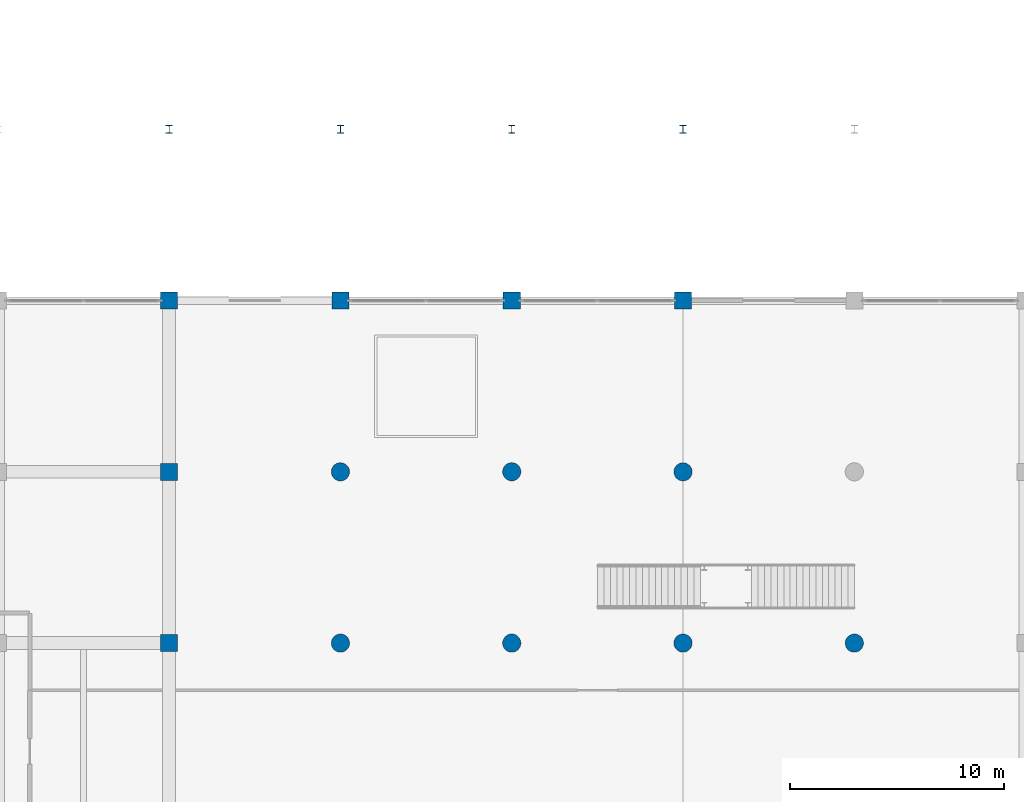
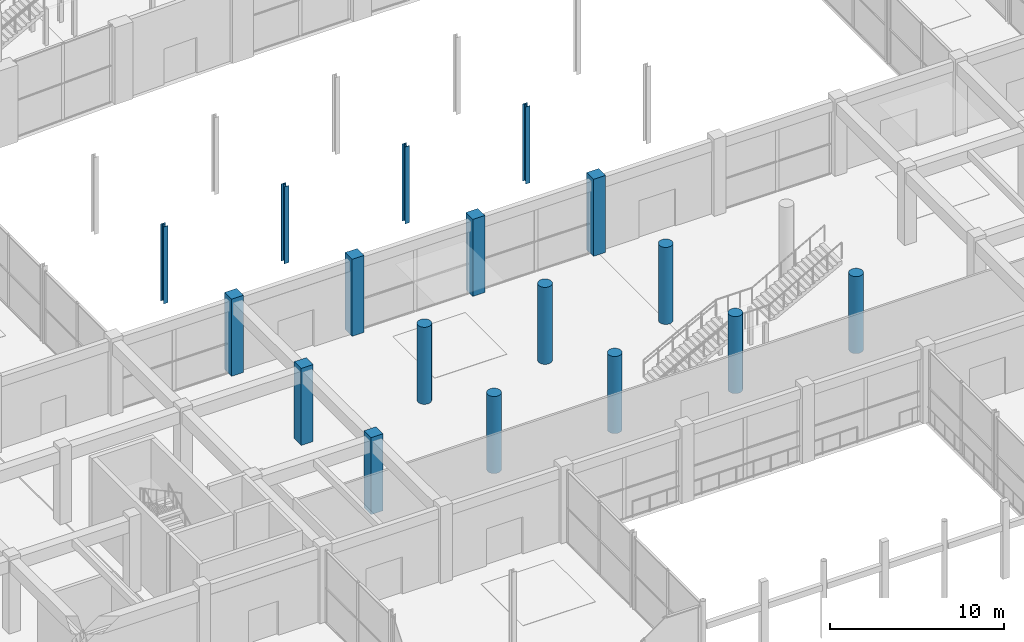
# One storey, part 7 of 86: 17 columns.
"""IFC4 building model written with IfcOpenShell, lengths in metres."""

from ifc_helpers import new_model, si_unit, direction, frame, origin, origin_2d, place, context, subcontext, project, spatial, rectangle, circle, i_section, extrude, material, material_profile, profile_set, type_object, element, save


model = new_model("IFC4")

# Units and contexts
model_context = context("Model", 3, precision=1e-05, world=origin(), true_north=direction((0.0, 1.0)))
body_context = subcontext(model_context, "Body", "Model", "MODEL_VIEW")
ifc_project = project(units=[si_unit("LENGTHUNIT", "METRE"), si_unit("AREAUNIT", "SQUARE_METRE"), si_unit("VOLUMEUNIT", "CUBIC_METRE"), si_unit("PLANEANGLEUNIT", "RADIAN"), si_unit("MASSUNIT", "GRAM", prefix="KILO")], contexts=[model_context])

# Site, building, storey
site_placement = place(None, origin())
site = spatial("IfcSite", under=ifc_project, at=site_placement, CompositionType="ELEMENT")
building_placement = place(site_placement, origin())
building = spatial("IfcBuilding", under=site, at=building_placement, Name="Kenh Van Central Station", CompositionType="ELEMENT")
storey_placement = place(building_placement, origin())
storey = spatial("IfcBuildingStorey", under=building, at=storey_placement, Name="L00", CompositionType="ELEMENT", Elevation=0.0)

# Columns
ifc_material_1 = material(Name="Concrete C40/50", Category="concrete")
ifc_material_profile_1 = material_profile(ifc_material_1, rectangle(XDim=0.800048828125, YDim=0.800048828125, at=origin_2d()), Name="RC 800x800")
ifc_profile_set_1 = profile_set([ifc_material_profile_1], Name="Concrete C40/50")
column_type_1 = type_object("IfcColumnType", Name="COL-RC-800x800", PredefinedType="COLUMN", material=ifc_profile_set_1)
for number, where, z_axis, x_axis, name in (
    (1, (64.0, 24.0, 0.0), (0.0, 0.0, 1.0), (1.0, 0.0, 0.0), "L00 column CC-064-024"),
    (2, (64.0, 32.0, 0.0), (0.0, 0.0, 1.0), (1.0, 0.0, 0.0), "L00 column CC-064-032"),
    (3, (64.0, 40.0, 0.0), (0.0, 0.0, 1.0), (1.0, 0.0, 0.0), "L00 column CC-064-040"),
    (4, (72.0, 40.0, 0.0), (0.0, 0.0, 1.0), (1.0, 0.0, 0.0), "L00 column CC-072-040"),
    (5, (80.0, 40.0, 0.0), (0.0, 0.0, 1.0), (1.0, 0.0, 0.0), "L00 column CC-080-040"),
    (6, (88.0, 40.0, 0.0), (0.0, 0.0, 1.0), (1.0, 0.0, 0.0), "L00 column CC-088-040"),
):
    element("IfcColumn", number, at=place(storey_placement, frame(where, z_axis=z_axis, x_axis=x_axis)), inside=storey, type_object=column_type_1, Name=name, PredefinedType="COLUMN", context=body_context, shape_type="SweptSolid", body=[
        extrude(rectangle(XDim=0.800048828125, YDim=0.800048828125, at=origin_2d()), origin(), (0.0, 0.0, 1.0), 5.39990234375),
    ])
ifc_material_profile_2 = material_profile(ifc_material_1, circle(Radius=0.425048828125, at=origin_2d()), Name="RC D850")
ifc_profile_set_2 = profile_set([ifc_material_profile_2], Name="Concrete C40/50")
column_type_2 = type_object("IfcColumnType", Name="COL-RC-D850", PredefinedType="COLUMN", material=ifc_profile_set_2)
for number, where, z_axis, x_axis, name in (
    (7, (72.0, 24.0, 0.0), (0.0, 0.0, 1.0), (1.0, 0.0, 0.0), "L00 column CC-072-024"),
    (8, (72.0, 32.0, 0.0), (0.0, 0.0, 1.0), (1.0, 0.0, 0.0), "L00 column CC-072-032"),
    (9, (80.0, 24.0, 0.0), (0.0, 0.0, 1.0), (1.0, 0.0, 0.0), "L00 column CC-080-024"),
    (10, (80.0, 32.0, 0.0), (0.0, 0.0, 1.0), (1.0, 0.0, 0.0), "L00 column CC-080-032"),
    (11, (88.0, 24.0, 0.0), (0.0, 0.0, 1.0), (1.0, 0.0, 0.0), "L00 column CC-088-024"),
    (12, (88.0, 32.0, 0.0), (0.0, 0.0, 1.0), (1.0, 0.0, 0.0), "L00 column CC-088-032"),
    (13, (96.0, 24.0, 0.0), (0.0, 0.0, 1.0), (1.0, 0.0, 0.0), "L00 column CC-096-024"),
):
    element("IfcColumn", number, at=place(storey_placement, frame(where, z_axis=z_axis, x_axis=x_axis)), inside=storey, type_object=column_type_2, Name=name, PredefinedType="COLUMN", context=body_context, shape_type="SweptSolid", body=[
        extrude(circle(Radius=0.425048828125, at=origin_2d()), origin(), (0.0, 0.0, 1.0), 5.39990234375),
    ])
ifc_material_2 = material(Name="Steel S355", Category="steel")
ifc_material_profile_3 = material_profile(ifc_material_2, i_section(OverallWidth=0.300048828125, OverallDepth=0.360107421875, WebThickness=0.012451171875, FlangeThickness=0.0224609375, FilletRadius=0.027099609375, at=origin_2d()), Name="HEB 360")
ifc_profile_set_3 = profile_set([ifc_material_profile_3], Name="Steel S355")
column_type_3 = type_object("IfcColumnType", Name="COL-STL-HEB360", PredefinedType="COLUMN", material=ifc_profile_set_3)
for number, where, z_axis, x_axis, name in (
    (14, (64.0, 48.0, 0.0), (0.0, 0.0, 1.0), (1.0, 0.0, 0.0), "L00 column CB-064-048"),
    (15, (72.0, 48.0, 0.0), (0.0, 0.0, 1.0), (1.0, 0.0, 0.0), "L00 column CB-072-048"),
    (16, (80.0, 48.0, 0.0), (0.0, 0.0, 1.0), (1.0, 0.0, 0.0), "L00 column CB-080-048"),
    (17, (88.0, 48.0, 0.0), (0.0, 0.0, 1.0), (1.0, 0.0, 0.0), "L00 column CB-088-048"),
):
    element("IfcColumn", number, at=place(storey_placement, frame(where, z_axis=z_axis, x_axis=x_axis)), inside=storey, type_object=column_type_3, Name=name, PredefinedType="COLUMN", context=body_context, shape_type="SweptSolid", body=[
        extrude(i_section(OverallWidth=0.300048828125, OverallDepth=0.360107421875, WebThickness=0.012451171875, FlangeThickness=0.0224609375, FilletRadius=0.027099609375, at=origin_2d()), origin(), (0.0, 0.0, 1.0), 5.39990234375),
    ])

save(model, "model.ifc")
